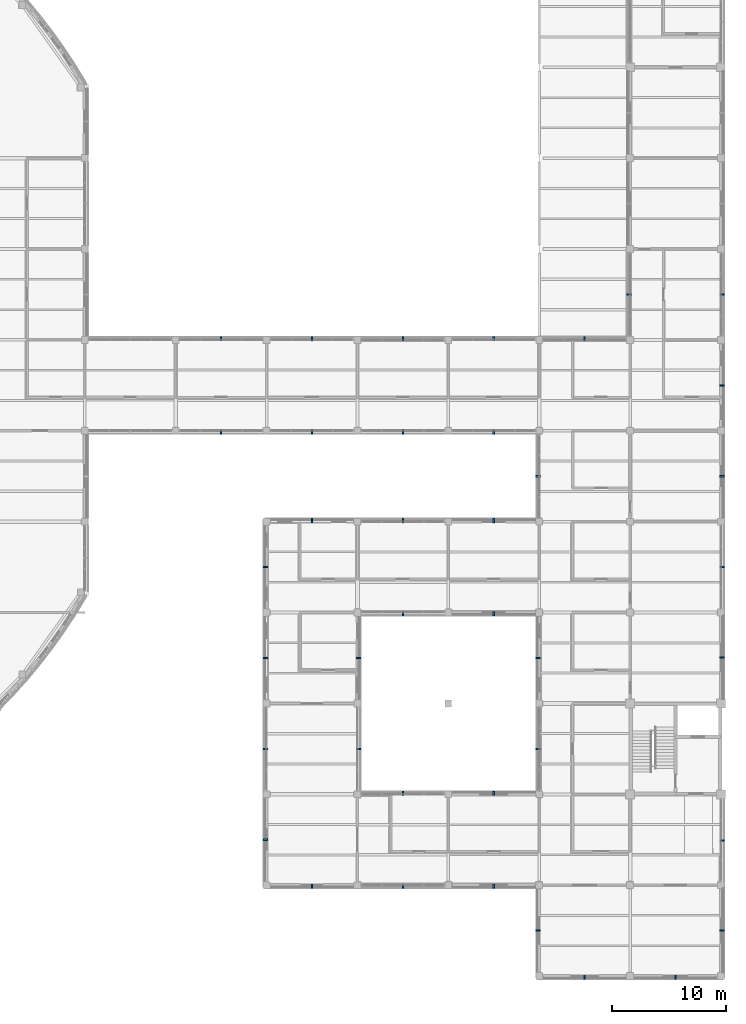
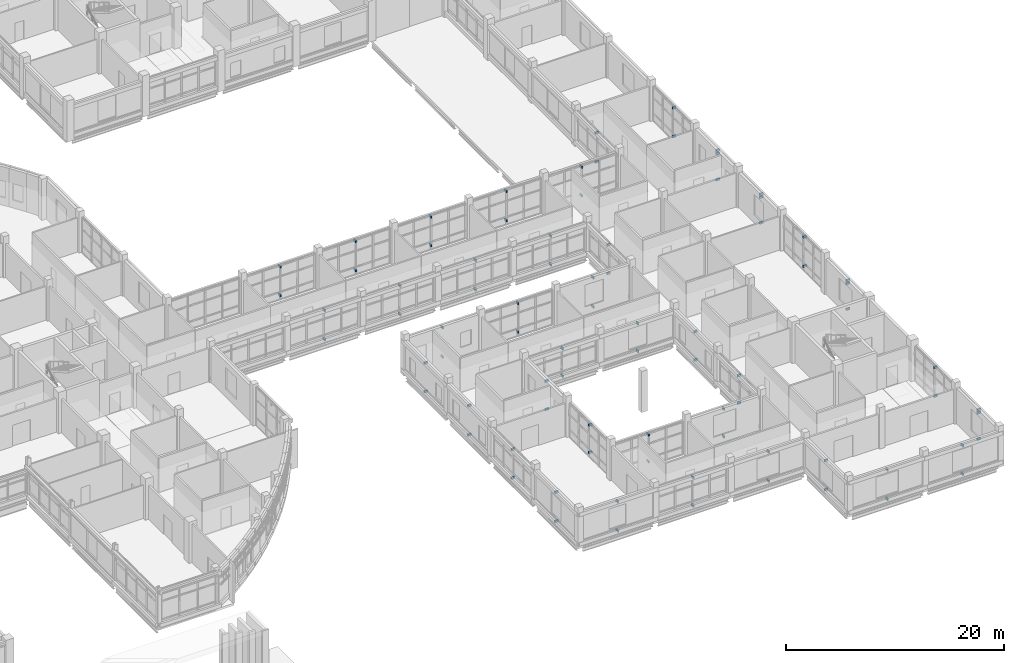
# One storey, part 105 of 121: 82 discrete accessories.
"""IFC4 building model written with IfcOpenShell, lengths in metres."""

from ifc_helpers import new_model, si_unit, derived_unit, direction, frame, origin, origin_2d, place, context, subcontext, project, spatial, rectangle, extrude, material, type_object, element, save


model = new_model("IFC4")

# Units and contexts
model_context = context("Model", 3, precision=1e-05, world=origin(), true_north=direction((0.0, 1.0)))
body_context = subcontext(model_context, "Body", "Model", "MODEL_VIEW")
ifc_project = project(units=[si_unit("LENGTHUNIT", "METRE"), si_unit("AREAUNIT", "SQUARE_METRE"), si_unit("VOLUMEUNIT", "CUBIC_METRE"), si_unit("PLANEANGLEUNIT", "RADIAN"), si_unit("MASSUNIT", "GRAM", prefix="KILO"), derived_unit("THERMALTRANSMITTANCEUNIT", [(si_unit("MASSUNIT", "GRAM", prefix="KILO"), 1), (si_unit("TIMEUNIT", "SECOND"), -3), (si_unit("THERMODYNAMICTEMPERATUREUNIT", "KELVIN"), -1)])], contexts=[model_context])

# Site, building, storey
site_placement = place(None, origin())
site = spatial("IfcSite", under=ifc_project, at=site_placement, CompositionType="ELEMENT")
building_placement = place(site_placement, origin())
building = spatial("IfcBuilding", under=site, at=building_placement, Name="Veyamyaing Civic Hall", CompositionType="ELEMENT")
storey_placement = place(building_placement, frame((0.0, 0.0, 5.280029296875)))
storey = spatial("IfcBuildingStorey", under=building, at=storey_placement, Name="L01", CompositionType="ELEMENT", Elevation=5.280029296875)

# Discrete accessories
ifc_material = material(Name="Steel S355J2", Category="steel")
discrete_accessory_type = type_object("IfcDiscreteAccessoryType", Name="BK-01", PredefinedType="BRACKET", material=ifc_material)
for number, where, z_axis, x_axis, name in (
    (1, (132.0, 47.89990234375, 3.63720703125), (0.0, 0.0, 1.0), (0.0, -1.0, 0.0), "Sunshade anchor bracket BK-01 L01 S 17.7"),
    (2, (132.0, 47.89990234375, 0.35986328125), (0.0, 0.0, 1.0), (0.0, -1.0, 0.0), "Lower ribbon anchor bracket BK-01 L01 S 17.7"),
    (3, (132.0, 56.10009765625, 3.56982421875), (0.0, 0.0, 1.0), (0.0, 1.0, 0.0), "Sunshade anchor bracket BK-01 L01 N 17.7"),
    (4, (132.0, 56.10009765625, 0.35986328125), (0.0, 0.0, 1.0), (0.0, 1.0, 0.0), "Lower ribbon anchor bracket BK-01 L01 N 17.7"),
    (5, (140.0, 7.89990234375, 3.63720703125), (0.0, 0.0, 1.0), (0.0, -1.0, 0.0), "Sunshade anchor bracket BK-01 L01 S 18.2"),
    (6, (140.0, 7.89990234375, 0.35986328125), (0.0, 0.0, 1.0), (0.0, -1.0, 0.0), "Lower ribbon anchor bracket BK-01 L01 S 18.2"),
    (7, (135.89990234375, 12.0, 3.63720703125), (0.0, 0.0, 1.0), (-1.0, 0.0, 0.0), "Sunshade anchor bracket BK-01 L01 W 18.2"),
    (8, (135.89990234375, 12.0, 0.35986328125), (0.0, 0.0, 1.0), (-1.0, 0.0, 0.0), "Lower ribbon anchor bracket BK-01 L01 W 18.2"),
    (9, (135.89990234375, 20.0, 3.56982421875), (0.0, 0.0, 1.0), (-1.0, 0.0, 0.0), "Sunshade anchor bracket BK-01 L01 W 18.3"),
    (10, (135.89990234375, 20.0, 0.35986328125), (0.0, 0.0, 1.0), (-1.0, 0.0, 0.0), "Lower ribbon anchor bracket BK-01 L01 W 18.3"),
    (11, (144.10009765625, 20.0, 3.4541015625), (0.0, 0.0, 1.0), (1.0, 0.0, 0.0), "Sunshade anchor bracket BK-01 L01 E 18.3"),
    (12, (144.10009765625, 20.0, 0.35986328125), (0.0, 0.0, 1.0), (1.0, 0.0, 0.0), "Lower ribbon anchor bracket BK-01 L01 E 18.3"),
    (13, (135.89990234375, 28.0, 3.6337890625), (0.0, 0.0, 1.0), (-1.0, 0.0, 0.0), "Sunshade anchor bracket BK-01 L01 W 18.4"),
    (14, (135.89990234375, 28.0, 0.35986328125), (0.0, 0.0, 1.0), (-1.0, 0.0, 0.0), "Lower ribbon anchor bracket BK-01 L01 W 18.4"),
    (15, (144.10009765625, 28.0, 3.52392578125), (0.0, 0.0, 1.0), (1.0, 0.0, 0.0), "Sunshade anchor bracket BK-01 L01 E 18.4"),
    (16, (144.10009765625, 28.0, 0.35986328125), (0.0, 0.0, 1.0), (1.0, 0.0, 0.0), "Lower ribbon anchor bracket BK-01 L01 E 18.4"),
    (17, (140.0, 40.10009765625, 3.63720703125), (0.0, 0.0, 1.0), (0.0, 1.0, 0.0), "Sunshade anchor bracket BK-01 L01 N 18.5"),
    (18, (140.0, 40.10009765625, 0.35986328125), (0.0, 0.0, 1.0), (0.0, 1.0, 0.0), "Lower ribbon anchor bracket BK-01 L01 N 18.5"),
    (19, (135.89990234375, 36.0, 3.57421875), (0.0, 0.0, 1.0), (-1.0, 0.0, 0.0), "Sunshade anchor bracket BK-01 L01 W 18.5"),
    (20, (135.89990234375, 36.0, 0.35986328125), (0.0, 0.0, 1.0), (-1.0, 0.0, 0.0), "Lower ribbon anchor bracket BK-01 L01 W 18.5"),
    (21, (140.0, 47.89990234375, 3.56982421875), (0.0, 0.0, 1.0), (0.0, -1.0, 0.0), "Sunshade anchor bracket BK-01 L01 S 18.7"),
    (22, (140.0, 47.89990234375, 0.35986328125), (0.0, 0.0, 1.0), (0.0, -1.0, 0.0), "Lower ribbon anchor bracket BK-01 L01 S 18.7"),
    (23, (140.0, 56.10009765625, 3.6337890625), (0.0, 0.0, 1.0), (0.0, 1.0, 0.0), "Sunshade anchor bracket BK-01 L01 N 18.7"),
    (24, (140.0, 56.10009765625, 0.35986328125), (0.0, 0.0, 1.0), (0.0, 1.0, 0.0), "Lower ribbon anchor bracket BK-01 L01 N 18.7"),
    (25, (148.0, 7.89990234375, 3.56982421875), (0.0, 0.0, 1.0), (0.0, -1.0, 0.0), "Sunshade anchor bracket BK-01 L01 S 19.2"),
    (26, (148.0, 7.89990234375, 0.35986328125), (0.0, 0.0, 1.0), (0.0, -1.0, 0.0), "Lower ribbon anchor bracket BK-01 L01 S 19.2"),
    (27, (148.0, 16.10009765625, 3.37890625), (0.0, 0.0, 1.0), (0.0, 1.0, 0.0), "Sunshade anchor bracket BK-01 L01 N 19.2"),
    (28, (148.0, 16.10009765625, 0.35986328125), (0.0, 0.0, 1.0), (0.0, 1.0, 0.0), "Lower ribbon anchor bracket BK-01 L01 N 19.2"),
    (29, (148.0, 31.89990234375, 3.43798828125), (0.0, 0.0, 1.0), (0.0, -1.0, 0.0), "Sunshade anchor bracket BK-01 L01 S 19.5"),
    (30, (148.0, 31.89990234375, 0.35986328125), (0.0, 0.0, 1.0), (0.0, -1.0, 0.0), "Lower ribbon anchor bracket BK-01 L01 S 19.5"),
    (31, (148.0, 40.10009765625, 3.56982421875), (0.0, 0.0, 1.0), (0.0, 1.0, 0.0), "Sunshade anchor bracket BK-01 L01 N 19.5"),
    (32, (148.0, 40.10009765625, 0.35986328125), (0.0, 0.0, 1.0), (0.0, 1.0, 0.0), "Lower ribbon anchor bracket BK-01 L01 N 19.5"),
    (33, (148.0, 47.89990234375, 3.6337890625), (0.0, 0.0, 1.0), (0.0, -1.0, 0.0), "Sunshade anchor bracket BK-01 L01 S 19.7"),
    (34, (148.0, 47.89990234375, 0.35986328125), (0.0, 0.0, 1.0), (0.0, -1.0, 0.0), "Lower ribbon anchor bracket BK-01 L01 S 19.7"),
    (35, (148.0, 56.10009765625, 3.57421875), (0.0, 0.0, 1.0), (0.0, 1.0, 0.0), "Sunshade anchor bracket BK-01 L01 N 19.7"),
    (36, (148.0, 56.10009765625, 0.35986328125), (0.0, 0.0, 1.0), (0.0, 1.0, 0.0), "Lower ribbon anchor bracket BK-01 L01 N 19.7"),
    (37, (156.0, 7.89990234375, 3.6337890625), (0.0, 0.0, 1.0), (0.0, -1.0, 0.0), "Sunshade anchor bracket BK-01 L01 S 20.2"),
    (38, (156.0, 7.89990234375, 0.35986328125), (0.0, 0.0, 1.0), (0.0, -1.0, 0.0), "Lower ribbon anchor bracket BK-01 L01 S 20.2"),
    (39, (156.0, 16.10009765625, 3.4541015625), (0.0, 0.0, 1.0), (0.0, 1.0, 0.0), "Sunshade anchor bracket BK-01 L01 N 20.2"),
    (40, (156.0, 16.10009765625, 0.35986328125), (0.0, 0.0, 1.0), (0.0, 1.0, 0.0), "Lower ribbon anchor bracket BK-01 L01 N 20.2"),
    (41, (156.0, 31.89990234375, 3.44775390625), (0.0, 0.0, 1.0), (0.0, -1.0, 0.0), "Sunshade anchor bracket BK-01 L01 S 20.5"),
    (42, (156.0, 31.89990234375, 0.35986328125), (0.0, 0.0, 1.0), (0.0, -1.0, 0.0), "Lower ribbon anchor bracket BK-01 L01 S 20.5"),
    (43, (156.0, 40.10009765625, 3.6337890625), (0.0, 0.0, 1.0), (0.0, 1.0, 0.0), "Sunshade anchor bracket BK-01 L01 N 20.5"),
    (44, (156.0, 40.10009765625, 0.35986328125), (0.0, 0.0, 1.0), (0.0, 1.0, 0.0), "Lower ribbon anchor bracket BK-01 L01 N 20.5"),
    (45, (156.0, 47.89990234375, 3.57421875), (0.0, 0.0, 1.0), (0.0, -1.0, 0.0), "Sunshade anchor bracket BK-01 L01 S 20.7"),
    (46, (156.0, 47.89990234375, 0.35986328125), (0.0, 0.0, 1.0), (0.0, -1.0, 0.0), "Lower ribbon anchor bracket BK-01 L01 S 20.7"),
    (47, (156.0, 56.10009765625, 3.63720703125), (0.0, 0.0, 1.0), (0.0, 1.0, 0.0), "Sunshade anchor bracket BK-01 L01 N 20.7"),
    (48, (156.0, 56.10009765625, 0.35986328125), (0.0, 0.0, 1.0), (0.0, 1.0, 0.0), "Lower ribbon anchor bracket BK-01 L01 N 20.7"),
    (49, (164.0, -0.10009765625, 3.6337890625), (0.0, 0.0, 1.0), (0.0, -1.0, 0.0), "Sunshade anchor bracket BK-01 L01 S 21.1"),
    (50, (164.0, -0.10009765625, 0.35986328125), (0.0, 0.0, 1.0), (0.0, -1.0, 0.0), "Lower ribbon anchor bracket BK-01 L01 S 21.1"),
    (51, (159.89990234375, 4.0, 3.6337890625), (0.0, 0.0, 1.0), (-1.0, 0.0, 0.0), "Sunshade anchor bracket BK-01 L01 W 21.1"),
    (52, (159.89990234375, 4.0, 0.35986328125), (0.0, 0.0, 1.0), (-1.0, 0.0, 0.0), "Lower ribbon anchor bracket BK-01 L01 W 21.1"),
    (53, (159.89990234375, 20.0, 3.44775390625), (0.0, 0.0, 1.0), (-1.0, 0.0, 0.0), "Sunshade anchor bracket BK-01 L01 W 21.3"),
    (54, (159.89990234375, 20.0, 0.35986328125), (0.0, 0.0, 1.0), (-1.0, 0.0, 0.0), "Lower ribbon anchor bracket BK-01 L01 W 21.3"),
    (55, (159.89990234375, 28.0, 3.51806640625), (0.0, 0.0, 1.0), (-1.0, 0.0, 0.0), "Sunshade anchor bracket BK-01 L01 W 21.4"),
    (56, (159.89990234375, 28.0, 0.35986328125), (0.0, 0.0, 1.0), (-1.0, 0.0, 0.0), "Lower ribbon anchor bracket BK-01 L01 W 21.4"),
    (57, (159.89990234375, 44.0, 3.57421875), (0.0, 0.0, 1.0), (-1.0, 0.0, 0.0), "Sunshade anchor bracket BK-01 L01 W 21.6"),
    (58, (159.89990234375, 44.0, 0.35986328125), (0.0, 0.0, 1.0), (-1.0, 0.0, 0.0), "Lower ribbon anchor bracket BK-01 L01 W 21.6"),
    (59, (164.0, 56.10009765625, 3.56982421875), (0.0, 0.0, 1.0), (0.0, 1.0, 0.0), "Sunshade anchor bracket BK-01 L01 N 21.7"),
    (60, (164.0, 56.10009765625, 0.35986328125), (0.0, 0.0, 1.0), (0.0, 1.0, 0.0), "Lower ribbon anchor bracket BK-01 L01 N 21.7"),
    (61, (172.0, -0.10009765625, 3.57421875), (0.0, 0.0, 1.0), (0.0, -1.0, 0.0), "Sunshade anchor bracket BK-01 L01 S 22.1"),
    (62, (172.0, -0.10009765625, 0.35986328125), (0.0, 0.0, 1.0), (0.0, -1.0, 0.0), "Lower ribbon anchor bracket BK-01 L01 S 22.1"),
    (63, (176.10009765625, 4.0, 3.63720703125), (0.0, 0.0, 1.0), (1.0, 0.0, 0.0), "Sunshade anchor bracket BK-01 L01 E 22.1"),
    (64, (176.10009765625, 4.0, 0.35986328125), (0.0, 0.0, 1.0), (1.0, 0.0, 0.0), "Lower ribbon anchor bracket BK-01 L01 E 22.1"),
    (65, (176.10009765625, 4.0, 3.30712890625), (0.0, 0.0, 1.0), (1.0, 0.0, 0.0), "Louvre anchor bracket BK-01 L01 E 22.1"),
    (66, (176.10009765625, 11.949951171875, 3.56982421875), (0.0, 0.0, 1.0), (1.0, 0.0, 0.0), "Sunshade anchor bracket BK-01 L01 E 22.2"),
    (67, (176.10009765625, 11.949951171875, 0.35986328125), (0.0, 0.0, 1.0), (1.0, 0.0, 0.0), "Lower ribbon anchor bracket BK-01 L01 E 22.2"),
    (68, (176.10009765625, 28.050048828125, 3.57421875), (0.0, 0.0, 1.0), (1.0, 0.0, 0.0), "Sunshade anchor bracket BK-01 L01 E 22.4"),
    (69, (176.10009765625, 28.050048828125, 0.35986328125), (0.0, 0.0, 1.0), (1.0, 0.0, 0.0), "Lower ribbon anchor bracket BK-01 L01 E 22.4"),
    (70, (176.10009765625, 28.050048828125, 3.244140625), (0.0, 0.0, 1.0), (1.0, 0.0, 0.0), "Louvre anchor bracket BK-01 L01 E 22.4"),
    (71, (176.10009765625, 36.0, 3.63720703125), (0.0, 0.0, 1.0), (1.0, 0.0, 0.0), "Sunshade anchor bracket BK-01 L01 E 22.5"),
    (72, (176.10009765625, 36.0, 0.35986328125), (0.0, 0.0, 1.0), (1.0, 0.0, 0.0), "Lower ribbon anchor bracket BK-01 L01 E 22.5"),
    (73, (176.10009765625, 44.0, 3.56982421875), (0.0, 0.0, 1.0), (1.0, 0.0, 0.0), "Sunshade anchor bracket BK-01 L01 E 22.6"),
    (74, (176.10009765625, 44.0, 0.35986328125), (0.0, 0.0, 1.0), (1.0, 0.0, 0.0), "Lower ribbon anchor bracket BK-01 L01 E 22.6"),
    (75, (176.10009765625, 44.0, 3.23974609375), (0.0, 0.0, 1.0), (1.0, 0.0, 0.0), "Louvre anchor bracket BK-01 L01 E 22.6"),
    (76, (176.10009765625, 52.0, 3.6337890625), (0.0, 0.0, 1.0), (1.0, 0.0, 0.0), "Sunshade anchor bracket BK-01 L01 E 22.7"),
    (77, (176.10009765625, 52.0, 0.35986328125), (0.0, 0.0, 1.0), (1.0, 0.0, 0.0), "Lower ribbon anchor bracket BK-01 L01 E 22.7"),
    (78, (176.10009765625, 52.0, 3.30419921875), (0.0, 0.0, 1.0), (1.0, 0.0, 0.0), "Louvre anchor bracket BK-01 L01 E 22.7"),
    (79, (167.89990234375, 60.0, 3.6337890625), (0.0, 0.0, 1.0), (-1.0, 0.0, 0.0), "Sunshade anchor bracket BK-01 L01 W 22.8"),
    (80, (167.89990234375, 60.0, 0.35986328125), (0.0, 0.0, 1.0), (-1.0, 0.0, 0.0), "Lower ribbon anchor bracket BK-01 L01 W 22.8"),
    (81, (176.10009765625, 60.0, 3.57421875), (0.0, 0.0, 1.0), (1.0, 0.0, 0.0), "Sunshade anchor bracket BK-01 L01 E 22.8"),
    (82, (176.10009765625, 60.0, 0.35986328125), (0.0, 0.0, 1.0), (1.0, 0.0, 0.0), "Lower ribbon anchor bracket BK-01 L01 E 22.8"),
):
    element("IfcDiscreteAccessory", number, at=place(storey_placement, frame(where, z_axis=z_axis, x_axis=x_axis)), inside=storey, type_object=discrete_accessory_type, Name=name, PredefinedType="BRACKET", context=body_context, shape_type="SweptSolid", body=[
        extrude(rectangle(XDim=0.3798828125, YDim=0.139892578125, at=origin_2d()), origin(), (0.0, 0.0, 1.0), 0.239990234375),
    ])

save(model, "model.ifc")
